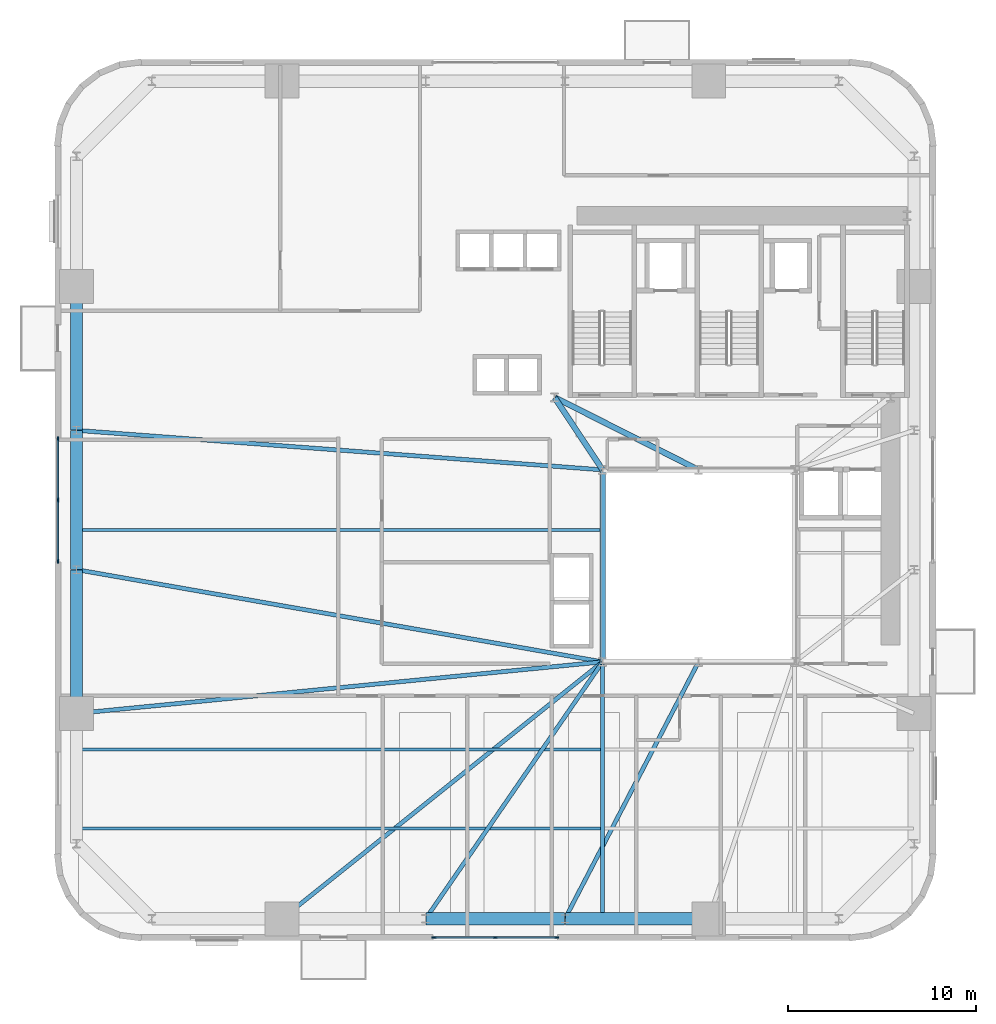
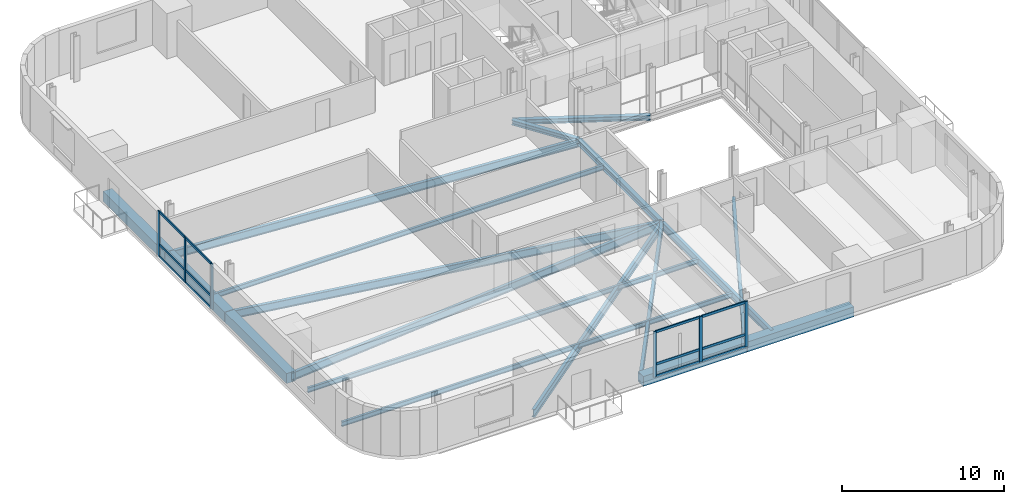
# One storey, part 2 of 13: 18 beams, 18 members, 2 elements without a shape of their own.
"""IFC4 building model written with IfcOpenShell, lengths in metres."""

from ifc_helpers import new_model, si_unit, direction, frame, origin, origin_2d, place, context, subcontext, project, spatial, rectangle, i_section, extrude, source, transform, mapped, material, material_profile, profile_set, type_object, element, aggregate, save


model = new_model("IFC4")

# Units and contexts
model_context = context("Model", 3, precision=1e-05, world=origin(), true_north=direction((0.0, 1.0)))
body_context = subcontext(model_context, "Body", "Model", "MODEL_VIEW")
ifc_project = project(units=[si_unit("LENGTHUNIT", "METRE"), si_unit("AREAUNIT", "SQUARE_METRE"), si_unit("VOLUMEUNIT", "CUBIC_METRE"), si_unit("PLANEANGLEUNIT", "RADIAN"), si_unit("MASSUNIT", "GRAM", prefix="KILO")], contexts=[model_context])

# Site, building, storey
site_placement = place(None, origin())
site = spatial("IfcSite", under=ifc_project, at=site_placement, CompositionType="ELEMENT")
building_placement = place(site_placement, origin())
building = spatial("IfcBuilding", under=site, at=building_placement, Name="Vardaveli Station Tower", CompositionType="ELEMENT")
storey_placement = place(building_placement, frame((0.0, 0.0, 86.0)))
storey = spatial("IfcBuildingStorey", under=building, at=storey_placement, Name="L22", CompositionType="ELEMENT", Elevation=86.0)

# Beams
ifc_material_1 = material(Name="Structural steel S355J2", Category="steel")
ifc_material_profile_1 = material_profile(ifc_material_1, i_section(OverallWidth=0.300048828125, OverallDepth=0.449951171875, WebThickness=0.013916015625, FlangeThickness=0.02587890625, FilletRadius=0.027099609375, at=origin_2d()), Name="HEB 450")
ifc_profile_set_1 = profile_set([ifc_material_profile_1], Name="Structural steel S355J2")
beam_type_1 = type_object("IfcBeamType", Name="BM-HEB450", PredefinedType="BEAM", material=ifc_profile_set_1)
shared_shape_1 = source(origin(), body_context, "Body", "SweptSolid", [
    extrude(i_section(OverallWidth=0.300048828125, OverallDepth=0.449951171875, WebThickness=0.013916015625, FlangeThickness=0.02587890625, FilletRadius=0.027099609375, at=origin_2d()), origin(), (0.0, 0.0, 1.0), 10.159912109375),
])
beam_1_placement = place(storey_placement, frame((31.199951171875, 26.780029296875, -0.465087890625), z_axis=(0.0, -1.0, 0.0), x_axis=(1.0, 0.0, 0.0)))
element("IfcBeam", 1, at=beam_1_placement, inside=storey, type_object=beam_type_1, Name="ABM-L22-06", PredefinedType="BEAM", context=body_context, shape_type="MappedRepresentation", body=[
    mapped(shared_shape_1, transform((0.0, 0.0, 0.0), scale=1.0)),
])
ifc_material_profile_2 = material_profile(ifc_material_1, i_section(OverallWidth=0.300048828125, OverallDepth=0.360107421875, WebThickness=0.012451171875, FlangeThickness=0.0224609375, FilletRadius=0.027099609375, at=origin_2d()), Name="HEB 360")
ifc_profile_set_2 = profile_set([ifc_material_profile_2], Name="Structural steel S355J2")
beam_type_2 = type_object("IfcBeamType", Name="BM-HEB360", PredefinedType="BEAM", material=ifc_profile_set_2)
shared_shape_2 = source(origin(), body_context, "Body", "SweptSolid", [
    extrude(i_section(OverallWidth=0.300048828125, OverallDepth=0.360107421875, WebThickness=0.012451171875, FlangeThickness=0.0224609375, FilletRadius=0.027099609375, at=origin_2d()), origin(), (0.0, 0.0, 1.0), 4.577880859375),
])
beam_2_placement = place(storey_placement, frame((31.18896484375, 26.816650390625, -0.419921875), z_axis=(-0.55218702139, 0.833720272879, 0.0), x_axis=(-0.833720272879, -0.55218702139, 0.0)))
element("IfcBeam", 2, at=beam_2_placement, inside=storey, type_object=beam_type_2, Name="CBM-L22-01", PredefinedType="BEAM", context=body_context, shape_type="MappedRepresentation", body=[
    mapped(shared_shape_2, transform((0.0, 0.0, 0.0), scale=1.0)),
])
shared_shape_3 = source(origin(), body_context, "Body", "SweptSolid", [
    extrude(i_section(OverallWidth=0.300048828125, OverallDepth=0.360107421875, WebThickness=0.012451171875, FlangeThickness=0.0224609375, FilletRadius=0.027099609375, at=origin_2d()), origin(), (0.0, 0.0, 1.0), 8.524169921875),
])
beam_3_placement = place(storey_placement, frame((28.66796875, 30.64111328125, -0.419921875), z_axis=(0.893255584708, -0.449549174605, 0.0), x_axis=(0.449549174605, 0.893255584708, 0.0)))
element("IfcBeam", 3, at=beam_3_placement, inside=storey, type_object=beam_type_2, Name="CBM-L22-03", PredefinedType="BEAM", context=body_context, shape_type="MappedRepresentation", body=[
    mapped(shared_shape_3, transform((0.0, 0.0, 0.0), scale=1.0)),
])
ifc_material_2 = material(Name="Precast concrete C45/55", Category="concrete")
ifc_material_profile_3 = material_profile(ifc_material_2, rectangle(XDim=0.64990234375, YDim=0.75, at=origin_2d()), Name="LPB 650x750")
ifc_profile_set_3 = profile_set([ifc_material_profile_3], Name="Precast concrete C45/55")
beam_type_3 = type_object("IfcBeamType", Name="BM-LPB-750", PredefinedType="BEAM", material=ifc_profile_set_3)
shared_shape_4 = source(origin(), body_context, "Body", "SweptSolid", [
    extrude(rectangle(XDim=0.64990234375, YDim=0.75, at=origin_2d()), origin(), (0.0, 0.0, 1.0), 7.60009765625),
])
for number, where, z_axis, x_axis, name in (
    (4, (29.219970703125, 2.949951171875, -0.614990234375), (1.0, 0.0, 0.0), (0.0, 1.0, 0.0), "RBM-L22-03"),
    (5, (3.25, 36.52001953125, -0.614990234375), (0.0, -1.0, 0.0), (1.0, 0.0, 0.0), "RBM-L22-19"),
    (6, (3.25, 21.47998046875, -0.614990234375), (0.0, -1.0, 0.0), (1.0, 0.0, 0.0), "RBM-L22-21"),
):
    element("IfcBeam", number, at=place(storey_placement, frame(where, z_axis=z_axis, x_axis=x_axis)), inside=storey, type_object=beam_type_3, Name=name, PredefinedType="BEAM", context=body_context, shape_type="MappedRepresentation", body=[
        mapped(shared_shape_4, transform((0.0, 0.0, 0.0), scale=1.0)),
    ])
shared_shape_5 = source(origin(), body_context, "Body", "SweptSolid", [
    extrude(rectangle(XDim=0.64990234375, YDim=0.75, at=origin_2d()), origin(), (0.0, 0.0, 1.0), 7.35986328125),
])
for number, where, z_axis, x_axis, name in (
    (7, (21.820068359375, 2.949951171875, -0.614990234375), (1.0, 0.0, 0.0), (0.0, 1.0, 0.0), "RBM-L22-02"),
    (8, (3.25, 28.8798828125, -0.614990234375), (0.0, -1.0, 0.0), (1.0, 0.0, 0.0), "RBM-L22-20"),
):
    element("IfcBeam", number, at=place(storey_placement, frame(where, z_axis=z_axis, x_axis=x_axis)), inside=storey, type_object=beam_type_3, Name=name, PredefinedType="BEAM", context=body_context, shape_type="MappedRepresentation", body=[
        mapped(shared_shape_5, transform((0.0, 0.0, 0.0), scale=1.0)),
    ])
ifc_material_profile_4 = material_profile(ifc_material_1, i_section(OverallWidth=0.219970703125, OverallDepth=0.60009765625, WebThickness=0.011962890625, FlangeThickness=0.01904296875, FilletRadius=0.02392578125, at=origin_2d()), Name="IPE 600")
ifc_profile_set_4 = profile_set([ifc_material_profile_4], Name="Structural steel S355J2")
beam_type_4 = type_object("IfcBeamType", Name="BM-IPE600", PredefinedType="BEAM", material=ifc_profile_set_4)
shared_shape_6 = source(origin(), body_context, "Body", "SweptSolid", [
    extrude(i_section(OverallWidth=0.219970703125, OverallDepth=0.60009765625, WebThickness=0.011962890625, FlangeThickness=0.01904296875, FilletRadius=0.02392578125, at=origin_2d()), origin(), (0.0, 0.0, 1.0), 21.793212890625),
])
beam_4_placement = place(storey_placement, frame((14.175537109375, 2.96240234375, -0.5400390625), z_axis=(0.780466445023, 0.625197671296, 0.0), x_axis=(-0.625197671296, 0.780466445023, 0.0)))
element("IfcBeam", 9, at=beam_4_placement, inside=storey, type_object=beam_type_4, Name="GBM-L22-01", PredefinedType="BEAM", context=body_context, shape_type="MappedRepresentation", body=[
    mapped(shared_shape_6, transform((0.0, 0.0, 0.0), scale=1.0)),
])
shared_shape_7 = source(origin(), body_context, "Body", "SweptSolid", [
    extrude(i_section(OverallWidth=0.219970703125, OverallDepth=0.60009765625, WebThickness=0.011962890625, FlangeThickness=0.01904296875, FilletRadius=0.02392578125, at=origin_2d()), origin(), (0.0, 0.0, 1.0), 16.533447265625),
])
beam_5_placement = place(storey_placement, frame((21.811279296875, 2.966552734375, -0.5400390625), z_axis=(0.567177272103, 0.823595739431, 0.0), x_axis=(-0.823595739431, 0.567177272103, 0.0)))
element("IfcBeam", 10, at=beam_5_placement, inside=storey, type_object=beam_type_4, Name="GBM-L22-02", PredefinedType="BEAM", context=body_context, shape_type="MappedRepresentation", body=[
    mapped(shared_shape_7, transform((0.0, 0.0, 0.0), scale=1.0)),
])
shared_shape_8 = source(origin(), body_context, "Body", "SweptSolid", [
    extrude(i_section(OverallWidth=0.219970703125, OverallDepth=0.60009765625, WebThickness=0.011962890625, FlangeThickness=0.01904296875, FilletRadius=0.02392578125, at=origin_2d()), origin(), (0.0, 0.0, 1.0), 15.34619140625),
])
beam_6_placement = place(storey_placement, frame((29.209228515625, 2.9677734375, -0.5400390625), z_axis=(0.461455420507, 0.887163398075, 0.0), x_axis=(-0.887163398075, 0.461455420507, 0.0)))
element("IfcBeam", 11, at=beam_6_placement, inside=storey, type_object=beam_type_4, Name="GBM-L22-03", PredefinedType="BEAM", context=body_context, shape_type="MappedRepresentation", body=[
    mapped(shared_shape_8, transform((0.0, 0.0, 0.0), scale=1.0)),
])
shared_shape_9 = source(origin(), body_context, "Body", "SweptSolid", [
    extrude(i_section(OverallWidth=0.219970703125, OverallDepth=0.60009765625, WebThickness=0.011962890625, FlangeThickness=0.01904296875, FilletRadius=0.02392578125, at=origin_2d()), origin(), (0.0, 0.0, 1.0), 27.98876953125),
])
beam_7_placement = place(storey_placement, frame((3.27001953125, 28.8984375, -0.5400390625), z_axis=(0.99718954315, -0.074920057611, 0.0), x_axis=(0.074920057611, 0.99718954315, 0.0)))
element("IfcBeam", 12, at=beam_7_placement, inside=storey, type_object=beam_type_4, Name="GBM-L22-08", PredefinedType="BEAM", context=body_context, shape_type="MappedRepresentation", body=[
    mapped(shared_shape_9, transform((0.0, 0.0, 0.0), scale=1.0)),
])
shared_shape_10 = source(origin(), body_context, "Body", "SweptSolid", [
    extrude(i_section(OverallWidth=0.219970703125, OverallDepth=0.60009765625, WebThickness=0.011962890625, FlangeThickness=0.01904296875, FilletRadius=0.02392578125, at=origin_2d()), origin(), (0.0, 0.0, 1.0), 28.33642578125),
])
beam_8_placement = place(storey_placement, frame((3.269775390625, 21.49658203125, -0.5400390625), z_axis=(0.984978267336, -0.172678350921, 0.0), x_axis=(0.172678350921, 0.984978267336, 0.0)))
element("IfcBeam", 13, at=beam_8_placement, inside=storey, type_object=beam_type_4, Name="GBM-L22-09", PredefinedType="BEAM", context=body_context, shape_type="MappedRepresentation", body=[
    mapped(shared_shape_10, transform((0.0, 0.0, 0.0), scale=1.0)),
])
shared_shape_11 = source(origin(), body_context, "Body", "SweptSolid", [
    extrude(i_section(OverallWidth=0.219970703125, OverallDepth=0.60009765625, WebThickness=0.011962890625, FlangeThickness=0.01904296875, FilletRadius=0.02392578125, at=origin_2d()), origin(), (0.0, 0.0, 1.0), 28.0439453125),
])
beam_9_placement = place(storey_placement, frame((3.27001953125, 13.862060546875, -0.5400390625), z_axis=(0.995229237856, 0.097564153855, 0.0), x_axis=(-0.097564153855, 0.995229237856, 0.0)))
element("IfcBeam", 14, at=beam_9_placement, inside=storey, type_object=beam_type_4, Name="GBM-L22-10", PredefinedType="BEAM", context=body_context, shape_type="MappedRepresentation", body=[
    mapped(shared_shape_11, transform((0.0, 0.0, 0.0), scale=1.0)),
])
ifc_material_profile_5 = material_profile(ifc_material_1, i_section(OverallWidth=0.2099609375, OverallDepth=0.550048828125, WebThickness=0.010986328125, FlangeThickness=0.01708984375, FilletRadius=0.02392578125, at=origin_2d()), Name="IPE 550")
ifc_profile_set_5 = profile_set([ifc_material_profile_5], Name="Structural steel S355J2")
beam_type_5 = type_object("IfcBeamType", Name="BM-IPE550", PredefinedType="BEAM", material=ifc_profile_set_5)
shared_shape_12 = source(origin(), body_context, "Body", "SweptSolid", [
    extrude(i_section(OverallWidth=0.2099609375, OverallDepth=0.550048828125, WebThickness=0.010986328125, FlangeThickness=0.01708984375, FilletRadius=0.02392578125, at=origin_2d()), origin(), (0.0, 0.0, 1.0), 13.469970703125),
])
beam_10_placement = place(storey_placement, frame((31.199951171875, 2.989990234375, -0.514892578125), z_axis=(0.0, 1.0, 0.0), x_axis=(-1.0, 0.0, 0.0)))
element("IfcBeam", 15, at=beam_10_placement, inside=storey, type_object=beam_type_5, Name="NSM-L22-S1", PredefinedType="BEAM", context=body_context, shape_type="MappedRepresentation", body=[
    mapped(shared_shape_12, transform((0.0, 0.0, 0.0), scale=1.0)),
])
ifc_material_profile_6 = material_profile(ifc_material_1, i_section(OverallWidth=0.169921875, OverallDepth=0.360107421875, WebThickness=0.008056640625, FlangeThickness=0.0126953125, FilletRadius=0.01806640625, at=origin_2d()), Name="IPE 360")
ifc_profile_set_6 = profile_set([ifc_material_profile_6], Name="Structural steel S355J2")
beam_type_6 = type_object("IfcBeamType", Name="BM-IPE360", PredefinedType="JOIST", material=ifc_profile_set_6)
shared_shape_13 = source(origin(), body_context, "Body", "SweptSolid", [
    extrude(i_section(OverallWidth=0.169921875, OverallDepth=0.360107421875, WebThickness=0.008056640625, FlangeThickness=0.0126953125, FilletRadius=0.01806640625, at=origin_2d()), origin(), (0.0, 0.0, 1.0), 27.7978515625),
])
for number, where, z_axis, x_axis, name in (
    (16, (3.2900390625, 7.75, -0.419921875), (1.0, 0.0, 0.0), (0.0, 1.0, 0.0), "SJ-L22-S01"),
    (17, (3.2900390625, 11.949951171875, -0.419921875), (1.0, 0.0, 0.0), (0.0, 1.0, 0.0), "SJ-L22-S04"),
    (18, (3.2900390625, 23.60009765625, -0.419921875), (1.0, 0.0, 0.0), (0.0, 1.0, 0.0), "SJ-L22-W08"),
):
    element("IfcBeam", number, at=place(storey_placement, frame(where, z_axis=z_axis, x_axis=x_axis)), inside=storey, type_object=beam_type_6, Name=name, PredefinedType="JOIST", context=body_context, shape_type="MappedRepresentation", body=[
        mapped(shared_shape_13, transform((0.0, 0.0, 0.0), scale=1.0)),
    ])

# Curtain wall, members
ifc_material_3 = material(Name="Travertine stone and solar-control glass", Category="masonry")
curtain_wall_type = type_object("IfcCurtainWallType", Name="CW-SYS-2", PredefinedType="NOTDEFINED", material=ifc_material_3)
curtain_wall_1_placement = place(storey_placement, origin())
curtain_wall_1 = element("IfcCurtainWall", 19, at=curtain_wall_1_placement, inside=storey, type_object=curtain_wall_type, Name="CW-L22-S", PredefinedType="NOTDEFINED")
ifc_material_4 = material(Name="Anodised aluminium alloy 6063-T6", Category="aluminium")
ifc_material_profile_7 = material_profile(ifc_material_4, rectangle(XDim=0.0849609375, YDim=0.219970703125, at=origin_2d()), Name="CWM 85x220")
ifc_profile_set_7 = profile_set([ifc_material_profile_7], Name="Anodised aluminium alloy 6063-T6")
member_type_1 = type_object("IfcMemberType", Name="CW-SYS-2-MULL", PredefinedType="MULLION", material=ifc_profile_set_7)
shared_shape_14 = source(origin(), body_context, "Body", "SweptSolid", [
    extrude(rectangle(XDim=0.0849609375, YDim=0.219970703125, at=origin_2d()), origin(), (0.0, 0.0, 1.0), 3.409912109375),
])
member_1_placement = place(storey_placement, frame((22.242431640625, 1.9599609375, 0.0), z_axis=(0.0, 0.0, 1.0), x_axis=(0.0, 1.0, 0.0)))
member_1 = element("IfcMember", 20, at=member_1_placement, type_object=member_type_1, Name="CW-2 mullion 1", PredefinedType="MULLION", context=body_context, shape_type="MappedRepresentation", body=[
    mapped(shared_shape_14, transform((0.0, 0.0, 0.0), scale=1.0)),
])
member_2_placement = place(storey_placement, frame((25.5, 1.9599609375, 0.0), z_axis=(0.0, 0.0, 1.0), x_axis=(0.0, 1.0, 0.0)))
member_2 = element("IfcMember", 21, at=member_2_placement, type_object=member_type_1, Name="CW-2 mullion 2", PredefinedType="MULLION", context=body_context, shape_type="MappedRepresentation", body=[
    mapped(shared_shape_14, transform((0.0, 0.0, 0.0), scale=1.0)),
])
member_3_placement = place(storey_placement, frame((28.757568359375, 1.9599609375, 0.0), z_axis=(0.0, 0.0, 1.0), x_axis=(0.0, 1.0, 0.0)))
member_3 = element("IfcMember", 22, at=member_3_placement, type_object=member_type_1, Name="CW-2 mullion 3", PredefinedType="MULLION", context=body_context, shape_type="MappedRepresentation", body=[
    mapped(shared_shape_14, transform((0.0, 0.0, 0.0), scale=1.0)),
])

curtain_wall_2_placement = place(storey_placement, origin())
curtain_wall_2 = element("IfcCurtainWall", 23, at=curtain_wall_2_placement, inside=storey, type_object=curtain_wall_type, Name="CW-L22-W", PredefinedType="NOTDEFINED")
member_4_placement = place(storey_placement, frame((2.260009765625, 28.45751953125, 0.0), z_axis=(0.0, 0.0, 1.0), x_axis=(1.0, 0.0, 0.0)))
member_4 = element("IfcMember", 24, at=member_4_placement, type_object=member_type_1, Name="CW-2 mullion 1", PredefinedType="MULLION", context=body_context, shape_type="MappedRepresentation", body=[
    mapped(shared_shape_14, transform((0.0, 0.0, 0.0), scale=1.0)),
])
member_5_placement = place(storey_placement, frame((2.260009765625, 25.199951171875, 0.0), z_axis=(0.0, 0.0, 1.0), x_axis=(1.0, 0.0, 0.0)))
member_5 = element("IfcMember", 25, at=member_5_placement, type_object=member_type_1, Name="CW-2 mullion 2", PredefinedType="MULLION", context=body_context, shape_type="MappedRepresentation", body=[
    mapped(shared_shape_14, transform((0.0, 0.0, 0.0), scale=1.0)),
])
member_6_placement = place(storey_placement, frame((2.260009765625, 21.9423828125, 0.0), z_axis=(0.0, 0.0, 1.0), x_axis=(1.0, 0.0, 0.0)))
member_6 = element("IfcMember", 26, at=member_6_placement, type_object=member_type_1, Name="CW-2 mullion 3", PredefinedType="MULLION", context=body_context, shape_type="MappedRepresentation", body=[
    mapped(shared_shape_14, transform((0.0, 0.0, 0.0), scale=1.0)),
])

# Member
ifc_material_profile_8 = material_profile(ifc_material_4, rectangle(XDim=0.0849609375, YDim=0.179931640625, at=origin_2d()), Name="CWT 85x180")
ifc_profile_set_8 = profile_set([ifc_material_profile_8], Name="Anodised aluminium alloy 6063-T6")
member_type_2 = type_object("IfcMemberType", Name="CW-SYS-2-TRAN", PredefinedType="NOTDEFINED", material=ifc_profile_set_8)
shared_shape_15 = source(origin(), body_context, "Body", "SweptSolid", [
    extrude(rectangle(XDim=0.0849609375, YDim=0.179931640625, at=origin_2d()), origin(), (0.0, 0.0, 1.0), 3.172607421875),
])
member_7_placement = place(storey_placement, frame((22.284912109375, 1.9599609375, 0.04248046875), z_axis=(1.0, 0.0, 0.0), x_axis=(0.0, 1.0, 0.0)))
member_7 = element("IfcMember", 27, at=member_7_placement, type_object=member_type_2, Name="CW-2 transom 1.1", ObjectType="TRANSOM", PredefinedType="USERDEFINED", context=body_context, shape_type="MappedRepresentation", body=[
    mapped(shared_shape_15, transform((0.0, 0.0, 0.0), scale=1.0)),
])

member_8_placement = place(storey_placement, frame((22.284912109375, 1.9599609375, 0.949951171875), z_axis=(1.0, 0.0, 0.0), x_axis=(0.0, 1.0, 0.0)))
member_8 = element("IfcMember", 28, at=member_8_placement, type_object=member_type_2, Name="CW-2 transom 1.2", ObjectType="TRANSOM", PredefinedType="USERDEFINED", context=body_context, shape_type="MappedRepresentation", body=[
    mapped(shared_shape_15, transform((0.0, 0.0, 0.0), scale=1.0)),
])

member_9_placement = place(storey_placement, frame((22.284912109375, 1.9599609375, 3.367431640625), z_axis=(1.0, 0.0, 0.0), x_axis=(0.0, 1.0, 0.0)))
member_9 = element("IfcMember", 29, at=member_9_placement, type_object=member_type_2, Name="CW-2 transom 1.3", ObjectType="TRANSOM", PredefinedType="USERDEFINED", context=body_context, shape_type="MappedRepresentation", body=[
    mapped(shared_shape_15, transform((0.0, 0.0, 0.0), scale=1.0)),
])

member_10_placement = place(storey_placement, frame((25.54248046875, 1.9599609375, 0.04248046875), z_axis=(1.0, 0.0, 0.0), x_axis=(0.0, 1.0, 0.0)))
member_10 = element("IfcMember", 30, at=member_10_placement, type_object=member_type_2, Name="CW-2 transom 2.1", ObjectType="TRANSOM", PredefinedType="USERDEFINED", context=body_context, shape_type="MappedRepresentation", body=[
    mapped(shared_shape_15, transform((0.0, 0.0, 0.0), scale=1.0)),
])

member_11_placement = place(storey_placement, frame((25.54248046875, 1.9599609375, 0.949951171875), z_axis=(1.0, 0.0, 0.0), x_axis=(0.0, 1.0, 0.0)))
member_11 = element("IfcMember", 31, at=member_11_placement, type_object=member_type_2, Name="CW-2 transom 2.2", ObjectType="TRANSOM", PredefinedType="USERDEFINED", context=body_context, shape_type="MappedRepresentation", body=[
    mapped(shared_shape_15, transform((0.0, 0.0, 0.0), scale=1.0)),
])

member_12_placement = place(storey_placement, frame((25.54248046875, 1.9599609375, 3.367431640625), z_axis=(1.0, 0.0, 0.0), x_axis=(0.0, 1.0, 0.0)))
member_12 = element("IfcMember", 32, at=member_12_placement, type_object=member_type_2, Name="CW-2 transom 2.3", ObjectType="TRANSOM", PredefinedType="USERDEFINED", context=body_context, shape_type="MappedRepresentation", body=[
    mapped(shared_shape_15, transform((0.0, 0.0, 0.0), scale=1.0)),
])

aggregate(curtain_wall_1, [member_1, member_2, member_3, member_7, member_8, member_9, member_10, member_11, member_12])

member_13_placement = place(storey_placement, frame((2.260009765625, 28.4150390625, 0.04248046875), z_axis=(0.0, -1.0, 0.0), x_axis=(1.0, 0.0, 0.0)))
member_13 = element("IfcMember", 33, at=member_13_placement, type_object=member_type_2, Name="CW-2 transom 1.1", ObjectType="TRANSOM", PredefinedType="USERDEFINED", context=body_context, shape_type="MappedRepresentation", body=[
    mapped(shared_shape_15, transform((0.0, 0.0, 0.0), scale=1.0)),
])

member_14_placement = place(storey_placement, frame((2.260009765625, 28.4150390625, 0.949951171875), z_axis=(0.0, -1.0, 0.0), x_axis=(1.0, 0.0, 0.0)))
member_14 = element("IfcMember", 34, at=member_14_placement, type_object=member_type_2, Name="CW-2 transom 1.2", ObjectType="TRANSOM", PredefinedType="USERDEFINED", context=body_context, shape_type="MappedRepresentation", body=[
    mapped(shared_shape_15, transform((0.0, 0.0, 0.0), scale=1.0)),
])

member_15_placement = place(storey_placement, frame((2.260009765625, 28.4150390625, 3.367431640625), z_axis=(0.0, -1.0, 0.0), x_axis=(1.0, 0.0, 0.0)))
member_15 = element("IfcMember", 35, at=member_15_placement, type_object=member_type_2, Name="CW-2 transom 1.3", ObjectType="TRANSOM", PredefinedType="USERDEFINED", context=body_context, shape_type="MappedRepresentation", body=[
    mapped(shared_shape_15, transform((0.0, 0.0, 0.0), scale=1.0)),
])

shared_shape_16 = source(origin(), body_context, "Body", "SweptSolid", [
    extrude(rectangle(XDim=0.0849609375, YDim=0.179931640625, at=origin_2d()), origin(), (0.0, 0.0, 1.0), 3.17236328125),
])
member_16_placement = place(storey_placement, frame((2.260009765625, 25.157470703125, 0.04248046875), z_axis=(0.0, -1.0, 0.0), x_axis=(1.0, 0.0, 0.0)))
member_16 = element("IfcMember", 36, at=member_16_placement, type_object=member_type_2, Name="CW-2 transom 2.1", ObjectType="TRANSOM", PredefinedType="USERDEFINED", context=body_context, shape_type="MappedRepresentation", body=[
    mapped(shared_shape_16, transform((0.0, 0.0, 0.0), scale=1.0)),
])

member_17_placement = place(storey_placement, frame((2.260009765625, 25.157470703125, 0.949951171875), z_axis=(0.0, -1.0, 0.0), x_axis=(1.0, 0.0, 0.0)))
member_17 = element("IfcMember", 37, at=member_17_placement, type_object=member_type_2, Name="CW-2 transom 2.2", ObjectType="TRANSOM", PredefinedType="USERDEFINED", context=body_context, shape_type="MappedRepresentation", body=[
    mapped(shared_shape_16, transform((0.0, 0.0, 0.0), scale=1.0)),
])

member_18_placement = place(storey_placement, frame((2.260009765625, 25.157470703125, 3.367431640625), z_axis=(0.0, -1.0, 0.0), x_axis=(1.0, 0.0, 0.0)))
member_18 = element("IfcMember", 38, at=member_18_placement, type_object=member_type_2, Name="CW-2 transom 2.3", ObjectType="TRANSOM", PredefinedType="USERDEFINED", context=body_context, shape_type="MappedRepresentation", body=[
    mapped(shared_shape_16, transform((0.0, 0.0, 0.0), scale=1.0)),
])

aggregate(curtain_wall_2, [member_4, member_5, member_6, member_13, member_14, member_15, member_16, member_17, member_18])

save(model, "model.ifc")
